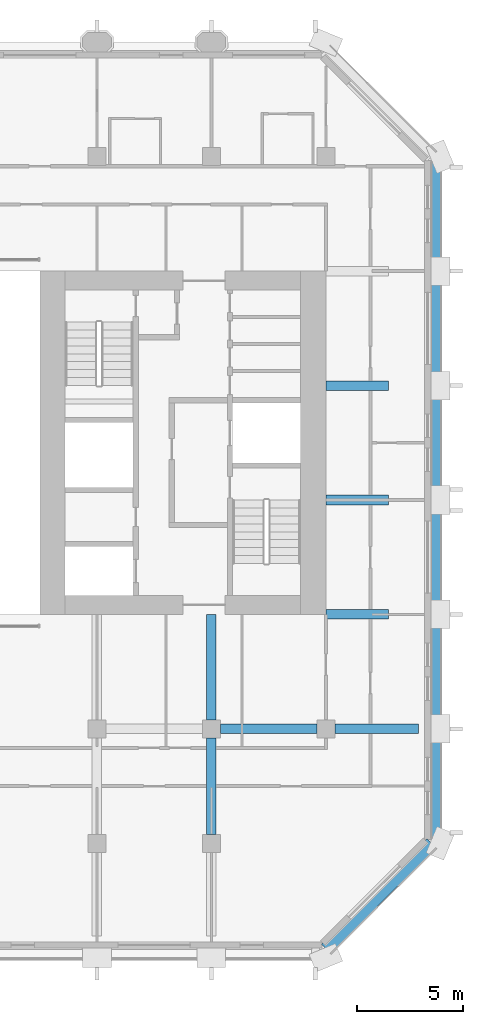
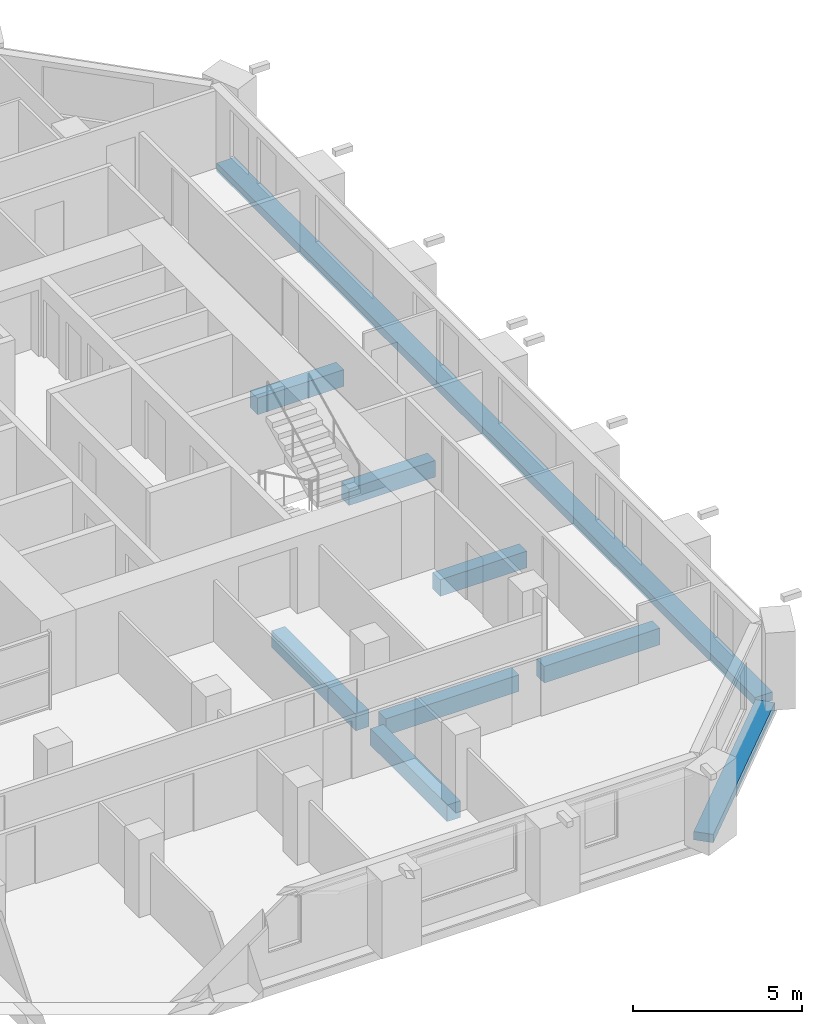
# One storey, part 3 of 12: 9 beams.
"""IFC4 building model written with IfcOpenShell, lengths in metres."""

from ifc_helpers import new_model, si_unit, direction, frame, origin, origin_2d, place, context, subcontext, project, spatial, rectangle, extrude, material, material_profile, profile_set, type_object, element, save


model = new_model("IFC4")

# Units and contexts
model_context = context("Model", 3, precision=1e-05, world=origin(), true_north=direction((0.0, 1.0)))
body_context = subcontext(model_context, "Body", "Model", "MODEL_VIEW")
ifc_project = project(units=[si_unit("LENGTHUNIT", "METRE"), si_unit("AREAUNIT", "SQUARE_METRE"), si_unit("VOLUMEUNIT", "CUBIC_METRE"), si_unit("PLANEANGLEUNIT", "RADIAN"), si_unit("MASSUNIT", "GRAM", prefix="KILO")], contexts=[model_context])

# Site, building, storey
site_placement = place(None, origin())
site = spatial("IfcSite", under=ifc_project, at=site_placement, CompositionType="ELEMENT")
building_placement = place(site_placement, origin())
building = spatial("IfcBuilding", under=site, at=building_placement, Name="Tabaq Tower and Sports Hall", CompositionType="ELEMENT")
storey_placement = place(building_placement, frame((0.0, 0.0, 172.60009765625)))
storey = spatial("IfcBuildingStorey", under=building, at=storey_placement, Name="L41", CompositionType="ELEMENT", Elevation=172.60009765625)

# Beams
ifc_material_1 = material(Name="Concrete C40/50", Category="concrete")
ifc_material_profile_1 = material_profile(ifc_material_1, rectangle(XDim=0.449951171875, YDim=0.60009765625, at=origin_2d()), Name="CB 450x600")
ifc_profile_set_1 = profile_set([ifc_material_profile_1], Name="Concrete C40/50")
beam_type_1 = type_object("IfcBeamType", Name="PT CANTILEVER BEAM CB 450x600 C40/50", PredefinedType="BEAM", material=ifc_profile_set_1)
beam_1_placement = place(storey_placement, frame((47.574951171875, 10.800048828125, -0.60009765625), z_axis=(-1.0, 0.0, 0.0), x_axis=(0.0, -1.0, 0.0)))
element("IfcBeam", 1, at=beam_1_placement, inside=storey, type_object=beam_type_1, Name="Cantilever Beam L41 E2 span 1", PredefinedType="BEAM", context=body_context, shape_type="SweptSolid", body=[
    extrude(rectangle(XDim=0.449951171875, YDim=0.60009765625, at=origin_2d()), origin(), (0.0, 0.0, 1.0), 3.949951171875),
])
beam_2_placement = place(storey_placement, frame((42.77490234375, 10.800048828125, -0.60009765625), z_axis=(-1.0, 0.0, 0.0), x_axis=(0.0, -1.0, 0.0)))
element("IfcBeam", 2, at=beam_2_placement, inside=storey, type_object=beam_type_1, Name="Cantilever Beam L41 E2 span 2", PredefinedType="BEAM", context=body_context, shape_type="SweptSolid", body=[
    extrude(rectangle(XDim=0.449951171875, YDim=0.60009765625, at=origin_2d()), origin(), (0.0, 0.0, 1.0), 4.5498046875),
])
for number, where, z_axis, x_axis, name in (
    (3, (46.14990234375, 16.199951171875, -0.60009765625), (-1.0, 0.0, 0.0), (0.0, -1.0, 0.0), "Cantilever Beam L41 E3 span 1"),
    (4, (46.14990234375, 21.60009765625, -0.60009765625), (-1.0, 0.0, 0.0), (0.0, -1.0, 0.0), "Cantilever Beam L41 E4 span 1"),
    (5, (46.14990234375, 27.0, -0.60009765625), (-1.0, 0.0, 0.0), (0.0, -1.0, 0.0), "Cantilever Beam L41 E5 span 1"),
):
    element("IfcBeam", number, at=place(storey_placement, frame(where, z_axis=z_axis, x_axis=x_axis)), inside=storey, type_object=beam_type_1, Name=name, PredefinedType="BEAM", context=body_context, shape_type="SweptSolid", body=[
        extrude(rectangle(XDim=0.449951171875, YDim=0.60009765625, at=origin_2d()), origin(), (0.0, 0.0, 1.0), 2.949951171875),
    ])
beam_3_placement = place(storey_placement, frame((37.800048828125, 5.824951171875, -0.60009765625), z_axis=(0.0, 1.0, 0.0), x_axis=(-1.0, 0.0, 0.0)))
element("IfcBeam", 6, at=beam_3_placement, inside=storey, type_object=beam_type_1, Name="Cantilever Beam L41 S7 span 2", PredefinedType="BEAM", context=body_context, shape_type="SweptSolid", body=[
    extrude(rectangle(XDim=0.449951171875, YDim=0.60009765625, at=origin_2d()), origin(), (0.0, 0.0, 1.0), 4.550048828125),
])
beam_4_placement = place(storey_placement, frame((37.800048828125, 11.22509765625, -0.60009765625), z_axis=(0.0, 1.0, 0.0), x_axis=(-1.0, 0.0, 0.0)))
element("IfcBeam", 7, at=beam_4_placement, inside=storey, type_object=beam_type_1, Name="Cantilever Beam L41 S7 span 3", PredefinedType="BEAM", context=body_context, shape_type="SweptSolid", body=[
    extrude(rectangle(XDim=0.449951171875, YDim=0.60009765625, at=origin_2d()), origin(), (0.0, 0.0, 1.0), 4.974853515625),
])
ifc_material_2 = material(Name="Concrete C40/50", Category="concrete")
ifc_material_profile_2 = material_profile(ifc_material_2, rectangle(XDim=0.60009765625, YDim=0.300048828125, at=origin_2d()), Name="EB 600x300")
ifc_profile_set_2 = profile_set([ifc_material_profile_2], Name="Concrete C40/50")
beam_type_2 = type_object("IfcBeamType", Name="PT EDGE BEAM EB 600x300 C40/50", PredefinedType="SPANDREL", material=ifc_profile_set_2)
beam_5_placement = place(storey_placement, frame((43.198974609375, 0.42333984375, -0.150146484375), z_axis=(0.707106781187, 0.707106781187, 0.0), x_axis=(-0.707106781187, 0.707106781187, 0.0)))
element("IfcBeam", 8, at=beam_5_placement, inside=storey, type_object=beam_type_2, Name="Edge Beam L41 2", PredefinedType="SPANDREL", context=body_context, shape_type="SweptSolid", body=[
    extrude(rectangle(XDim=0.60009765625, YDim=0.300048828125, at=origin_2d()), origin(), (0.0, 0.0, 1.0), 7.03955078125),
])
beam_6_placement = place(storey_placement, frame((48.300048828125, 5.698486328125, -0.150146484375), z_axis=(0.0, 1.0, 0.0), x_axis=(-1.0, 0.0, 0.0)))
element("IfcBeam", 9, at=beam_6_placement, inside=storey, type_object=beam_type_2, Name="Edge Beam L41 3", PredefinedType="SPANDREL", context=body_context, shape_type="SweptSolid", body=[
    extrude(rectangle(XDim=0.60009765625, YDim=0.300048828125, at=origin_2d()), origin(), (0.0, 0.0, 1.0), 31.802978515625),
])

save(model, "model.ifc")
